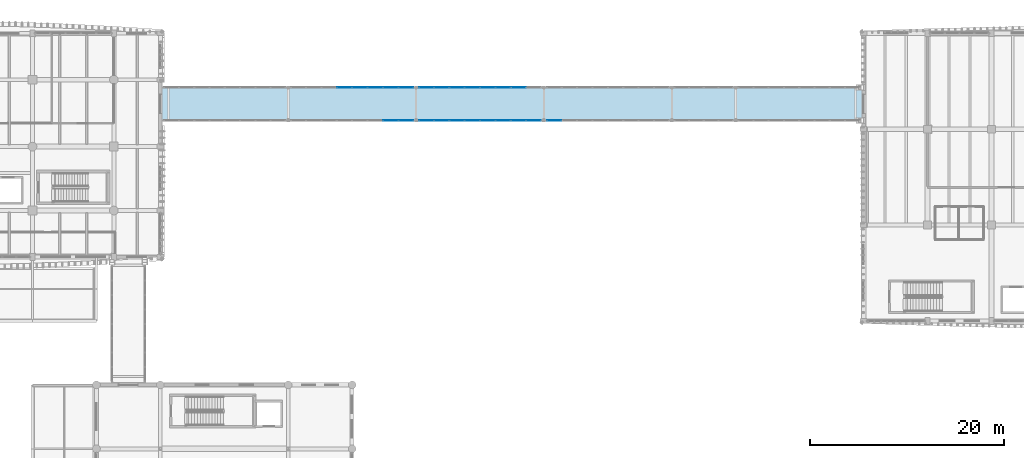
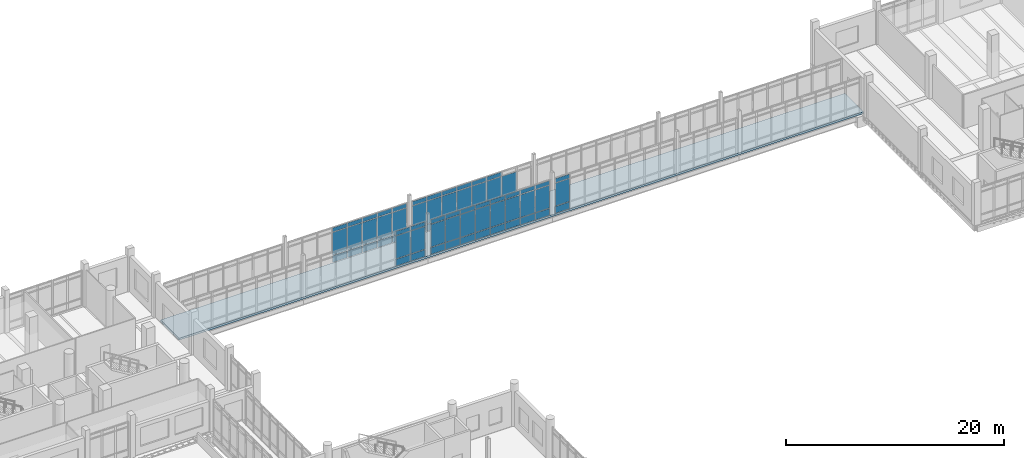
# One storey, part 70 of 125: 68 plates, 1 slab, 5 elements without a shape of their own.
"""IFC4 building model written with IfcOpenShell, lengths in metres."""

from ifc_helpers import new_model, si_unit, direction, frame, origin, origin_2d, place, context, subcontext, project, spatial, polyline, rectangle, outline, extrude, material, layer, layer_set, type_object, element, aggregate, save


model = new_model("IFC4")

# Units and contexts
model_context = context("Model", 3, precision=1e-05, world=origin(), true_north=direction((0.0, 1.0)))
body_context = subcontext(model_context, "Body", "Model", "MODEL_VIEW")
ifc_project = project(units=[si_unit("LENGTHUNIT", "METRE"), si_unit("AREAUNIT", "SQUARE_METRE"), si_unit("VOLUMEUNIT", "CUBIC_METRE"), si_unit("PLANEANGLEUNIT", "RADIAN"), si_unit("MASSUNIT", "GRAM", prefix="KILO")], contexts=[model_context])

# Site, building, storey
site_placement = place(None, origin())
site = spatial("IfcSite", under=ifc_project, at=site_placement, CompositionType="ELEMENT")
building_placement = place(site_placement, origin())
building = spatial("IfcBuilding", under=site, at=building_placement, Name="Dornvale Research Institute", CompositionType="ELEMENT")
storey_placement = place(building_placement, frame((0.0, 0.0, 5.39990234375)))
storey = spatial("IfcBuildingStorey", under=building, at=storey_placement, Name="L01", CompositionType="ELEMENT", Elevation=5.39990234375)

# Curtain wall, plates
ifc_material_1 = material(Name="Low-E Argon Double Insulating Glazing Unit", Category="glass")
curtain_wall_type = type_object("IfcCurtainWallType", Name="UnitisedCurtainWall_V2_12700x4000", PredefinedType="USERDEFINED", material=ifc_material_1)
curtain_wall_1_placement = place(storey_placement, origin())
curtain_wall_1 = element("IfcCurtainWall", 1, at=curtain_wall_1_placement, inside=storey, type_object=curtain_wall_type, Name="L01 V2 unitised curtain wall CW-42 #213", ObjectType="UNITISED CURTAIN WALL", PredefinedType="USERDEFINED")
ifc_material_2 = material(Name="Insulated Ceramic-Frit Spandrel Glass Panel", Category="glass")
ifc_layer_1 = layer(ifc_material_2, 0.0419921875)
ifc_layer_set_1 = layer_set([ifc_layer_1], Name="Insulated Ceramic-Frit Spandrel Glass Panel")
plate_type_1 = type_object("IfcPlateType", Name="CurtainPanel_Spandrel_42", PredefinedType="CURTAIN_PANEL", material=ifc_layer_set_1)
plate_1_placement = place(storey_placement, frame((65.206298828125, 116.5, 0.065185546875), z_axis=(0.0, 0.0, 1.0), x_axis=(1.0, 0.0, 0.0)))
plate_1 = element("IfcPlate", 2, at=plate_1_placement, type_object=plate_type_1, Name="CW-42 panel 4.1", PredefinedType="CURTAIN_PANEL", context=body_context, shape_type="SweptSolid", body=[
    extrude(rectangle(XDim=1.5224609375, YDim=0.0419921875, at=origin_2d()), origin(), (0.0, 0.0, 1.0), 0.75244140625),
])
plate_2_placement = place(storey_placement, frame((66.793701171875, 116.5, 0.065185546875), z_axis=(0.0, 0.0, 1.0), x_axis=(1.0, 0.0, 0.0)))
plate_2 = element("IfcPlate", 3, at=plate_2_placement, type_object=plate_type_1, Name="CW-42 panel 5.1", PredefinedType="CURTAIN_PANEL", context=body_context, shape_type="SweptSolid", body=[
    extrude(rectangle(XDim=1.5224609375, YDim=0.0419921875, at=origin_2d()), origin(), (0.0, 0.0, 1.0), 0.75244140625),
])
plate_3_placement = place(storey_placement, frame((68.38134765625, 116.5, 0.065185546875), z_axis=(0.0, 0.0, 1.0), x_axis=(1.0, 0.0, 0.0)))
plate_3 = element("IfcPlate", 4, at=plate_3_placement, type_object=plate_type_1, Name="CW-42 panel 6.1", PredefinedType="CURTAIN_PANEL", context=body_context, shape_type="SweptSolid", body=[
    extrude(rectangle(XDim=1.5224609375, YDim=0.0419921875, at=origin_2d()), origin(), (0.0, 0.0, 1.0), 0.75244140625),
])
plate_4_placement = place(storey_placement, frame((69.96875, 116.5, 0.065185546875), z_axis=(0.0, 0.0, 1.0), x_axis=(1.0, 0.0, 0.0)))
plate_4 = element("IfcPlate", 5, at=plate_4_placement, type_object=plate_type_1, Name="CW-42 panel 7.1", PredefinedType="CURTAIN_PANEL", context=body_context, shape_type="SweptSolid", body=[
    extrude(rectangle(XDim=1.5224609375, YDim=0.0419921875, at=origin_2d()), origin(), (0.0, 0.0, 1.0), 0.75244140625),
])
plate_5_placement = place(storey_placement, frame((71.5400390625, 116.5, 0.065185546875), z_axis=(0.0, 0.0, 1.0), x_axis=(1.0, 0.0, 0.0)))
plate_5 = element("IfcPlate", 6, at=plate_5_placement, type_object=plate_type_1, Name="CW-42 panel 8.1", PredefinedType="CURTAIN_PANEL", context=body_context, shape_type="SweptSolid", body=[
    extrude(rectangle(XDim=1.489990234375, YDim=0.0419921875, at=origin_2d()), origin(), (0.0, 0.0, 1.0), 0.75244140625),
])

curtain_wall_2_placement = place(storey_placement, origin())
curtain_wall_2 = element("IfcCurtainWall", 7, at=curtain_wall_2_placement, inside=storey, type_object=curtain_wall_type, Name="L01 V2 unitised curtain wall CW-42 #214", ObjectType="UNITISED CURTAIN WALL", PredefinedType="USERDEFINED")
plate_6_placement = place(storey_placement, frame((71.5400390625, 113.10009765625, 0.065185546875), z_axis=(0.0, 0.0, 1.0), x_axis=(-1.0, 0.0, 0.0)))
plate_6 = element("IfcPlate", 8, at=plate_6_placement, type_object=plate_type_1, Name="CW-42 panel 1.1", PredefinedType="CURTAIN_PANEL", context=body_context, shape_type="SweptSolid", body=[
    extrude(rectangle(XDim=1.489990234375, YDim=0.0419921875, at=origin_2d()), origin(), (0.0, 0.0, 1.0), 0.75244140625),
])
plate_7_placement = place(storey_placement, frame((69.96875, 113.10009765625, 0.065185546875), z_axis=(0.0, 0.0, 1.0), x_axis=(-1.0, 0.0, 0.0)))
plate_7 = element("IfcPlate", 9, at=plate_7_placement, type_object=plate_type_1, Name="CW-42 panel 2.1", PredefinedType="CURTAIN_PANEL", context=body_context, shape_type="SweptSolid", body=[
    extrude(rectangle(XDim=1.5224609375, YDim=0.0419921875, at=origin_2d()), origin(), (0.0, 0.0, 1.0), 0.75244140625),
])

curtain_wall_3_placement = place(storey_placement, origin())
curtain_wall_3 = element("IfcCurtainWall", 10, at=curtain_wall_3_placement, inside=storey, type_object=curtain_wall_type, Name="L01 V2 unitised curtain wall CW-42 #215", ObjectType="UNITISED CURTAIN WALL", PredefinedType="USERDEFINED")
plate_8_placement = place(storey_placement, frame((73.659912109375, 116.5, 0.065185546875), z_axis=(0.0, 0.0, 1.0), x_axis=(1.0, 0.0, 0.0)))
plate_8 = element("IfcPlate", 11, at=plate_8_placement, type_object=plate_type_1, Name="CW-42 panel 1.1", PredefinedType="CURTAIN_PANEL", context=body_context, shape_type="SweptSolid", body=[
    extrude(rectangle(XDim=1.489990234375, YDim=0.0419921875, at=origin_2d()), origin(), (0.0, 0.0, 1.0), 0.75244140625),
])
plate_9_placement = place(storey_placement, frame((75.231201171875, 116.5, 0.065185546875), z_axis=(0.0, 0.0, 1.0), x_axis=(1.0, 0.0, 0.0)))
plate_9 = element("IfcPlate", 12, at=plate_9_placement, type_object=plate_type_1, Name="CW-42 panel 2.1", PredefinedType="CURTAIN_PANEL", context=body_context, shape_type="SweptSolid", body=[
    extrude(rectangle(XDim=1.5224609375, YDim=0.0419921875, at=origin_2d()), origin(), (0.0, 0.0, 1.0), 0.75244140625),
])
plate_10_placement = place(storey_placement, frame((76.81884765625, 116.5, 0.065185546875), z_axis=(0.0, 0.0, 1.0), x_axis=(1.0, 0.0, 0.0)))
plate_10 = element("IfcPlate", 13, at=plate_10_placement, type_object=plate_type_1, Name="CW-42 panel 3.1", PredefinedType="CURTAIN_PANEL", context=body_context, shape_type="SweptSolid", body=[
    extrude(rectangle(XDim=1.5224609375, YDim=0.0419921875, at=origin_2d()), origin(), (0.0, 0.0, 1.0), 0.75244140625),
])
plate_11_placement = place(storey_placement, frame((78.40625, 116.5, 0.065185546875), z_axis=(0.0, 0.0, 1.0), x_axis=(1.0, 0.0, 0.0)))
plate_11 = element("IfcPlate", 14, at=plate_11_placement, type_object=plate_type_1, Name="CW-42 panel 4.1", PredefinedType="CURTAIN_PANEL", context=body_context, shape_type="SweptSolid", body=[
    extrude(rectangle(XDim=1.5224609375, YDim=0.0419921875, at=origin_2d()), origin(), (0.0, 0.0, 1.0), 0.75244140625),
])
plate_12_placement = place(storey_placement, frame((79.99365234375, 116.5, 0.065185546875), z_axis=(0.0, 0.0, 1.0), x_axis=(1.0, 0.0, 0.0)))
plate_12 = element("IfcPlate", 15, at=plate_12_placement, type_object=plate_type_1, Name="CW-42 panel 5.1", PredefinedType="CURTAIN_PANEL", context=body_context, shape_type="SweptSolid", body=[
    extrude(rectangle(XDim=1.5224609375, YDim=0.0419921875, at=origin_2d()), origin(), (0.0, 0.0, 1.0), 0.75244140625),
])
plate_13_placement = place(storey_placement, frame((81.581298828125, 116.5, 0.065185546875), z_axis=(0.0, 0.0, 1.0), x_axis=(1.0, 0.0, 0.0)))
plate_13 = element("IfcPlate", 16, at=plate_13_placement, type_object=plate_type_1, Name="CW-42 panel 6.1", PredefinedType="CURTAIN_PANEL", context=body_context, shape_type="SweptSolid", body=[
    extrude(rectangle(XDim=1.5224609375, YDim=0.0419921875, at=origin_2d()), origin(), (0.0, 0.0, 1.0), 0.75244140625),
])
plate_14_placement = place(storey_placement, frame((83.168701171875, 116.5, 0.065185546875), z_axis=(0.0, 0.0, 1.0), x_axis=(1.0, 0.0, 0.0)))
plate_14 = element("IfcPlate", 17, at=plate_14_placement, type_object=plate_type_1, Name="CW-42 panel 7.1", PredefinedType="CURTAIN_PANEL", context=body_context, shape_type="SweptSolid", body=[
    extrude(rectangle(XDim=1.5224609375, YDim=0.0419921875, at=origin_2d()), origin(), (0.0, 0.0, 1.0), 0.75244140625),
])

curtain_wall_4_placement = place(storey_placement, origin())
curtain_wall_4 = element("IfcCurtainWall", 18, at=curtain_wall_4_placement, inside=storey, type_object=curtain_wall_type, Name="L01 V2 unitised curtain wall CW-42 #216", ObjectType="UNITISED CURTAIN WALL", PredefinedType="USERDEFINED")
plate_15_placement = place(storey_placement, frame((84.739990234375, 113.10009765625, 0.065185546875), z_axis=(0.0, 0.0, 1.0), x_axis=(-1.0, 0.0, 0.0)))
plate_15 = element("IfcPlate", 19, at=plate_15_placement, type_object=plate_type_1, Name="CW-42 panel 1.1", PredefinedType="CURTAIN_PANEL", context=body_context, shape_type="SweptSolid", body=[
    extrude(rectangle(XDim=1.489990234375, YDim=0.0419921875, at=origin_2d()), origin(), (0.0, 0.0, 1.0), 0.75244140625),
])
plate_16_placement = place(storey_placement, frame((83.168701171875, 113.10009765625, 0.065185546875), z_axis=(0.0, 0.0, 1.0), x_axis=(-1.0, 0.0, 0.0)))
plate_16 = element("IfcPlate", 20, at=plate_16_placement, type_object=plate_type_1, Name="CW-42 panel 2.1", PredefinedType="CURTAIN_PANEL", context=body_context, shape_type="SweptSolid", body=[
    extrude(rectangle(XDim=1.5224609375, YDim=0.0419921875, at=origin_2d()), origin(), (0.0, 0.0, 1.0), 0.75244140625),
])
plate_17_placement = place(storey_placement, frame((81.581298828125, 113.10009765625, 0.065185546875), z_axis=(0.0, 0.0, 1.0), x_axis=(-1.0, 0.0, 0.0)))
plate_17 = element("IfcPlate", 21, at=plate_17_placement, type_object=plate_type_1, Name="CW-42 panel 3.1", PredefinedType="CURTAIN_PANEL", context=body_context, shape_type="SweptSolid", body=[
    extrude(rectangle(XDim=1.5224609375, YDim=0.0419921875, at=origin_2d()), origin(), (0.0, 0.0, 1.0), 0.75244140625),
])
plate_18_placement = place(storey_placement, frame((79.99365234375, 113.10009765625, 0.065185546875), z_axis=(0.0, 0.0, 1.0), x_axis=(-1.0, 0.0, 0.0)))
plate_18 = element("IfcPlate", 22, at=plate_18_placement, type_object=plate_type_1, Name="CW-42 panel 4.1", PredefinedType="CURTAIN_PANEL", context=body_context, shape_type="SweptSolid", body=[
    extrude(rectangle(XDim=1.5224609375, YDim=0.0419921875, at=origin_2d()), origin(), (0.0, 0.0, 1.0), 0.75244140625),
])
plate_19_placement = place(storey_placement, frame((78.40625, 113.10009765625, 0.065185546875), z_axis=(0.0, 0.0, 1.0), x_axis=(-1.0, 0.0, 0.0)))
plate_19 = element("IfcPlate", 23, at=plate_19_placement, type_object=plate_type_1, Name="CW-42 panel 5.1", PredefinedType="CURTAIN_PANEL", context=body_context, shape_type="SweptSolid", body=[
    extrude(rectangle(XDim=1.5224609375, YDim=0.0419921875, at=origin_2d()), origin(), (0.0, 0.0, 1.0), 0.75244140625),
])
plate_20_placement = place(storey_placement, frame((76.81884765625, 113.10009765625, 0.065185546875), z_axis=(0.0, 0.0, 1.0), x_axis=(-1.0, 0.0, 0.0)))
plate_20 = element("IfcPlate", 24, at=plate_20_placement, type_object=plate_type_1, Name="CW-42 panel 6.1", PredefinedType="CURTAIN_PANEL", context=body_context, shape_type="SweptSolid", body=[
    extrude(rectangle(XDim=1.5224609375, YDim=0.0419921875, at=origin_2d()), origin(), (0.0, 0.0, 1.0), 0.75244140625),
])
plate_21_placement = place(storey_placement, frame((75.231201171875, 113.10009765625, 0.065185546875), z_axis=(0.0, 0.0, 1.0), x_axis=(-1.0, 0.0, 0.0)))
plate_21 = element("IfcPlate", 25, at=plate_21_placement, type_object=plate_type_1, Name="CW-42 panel 7.1", PredefinedType="CURTAIN_PANEL", context=body_context, shape_type="SweptSolid", body=[
    extrude(rectangle(XDim=1.5224609375, YDim=0.0419921875, at=origin_2d()), origin(), (0.0, 0.0, 1.0), 0.75244140625),
])
plate_22_placement = place(storey_placement, frame((73.659912109375, 113.10009765625, 0.065185546875), z_axis=(0.0, 0.0, 1.0), x_axis=(-1.0, 0.0, 0.0)))
plate_22 = element("IfcPlate", 26, at=plate_22_placement, type_object=plate_type_1, Name="CW-42 panel 8.1", PredefinedType="CURTAIN_PANEL", context=body_context, shape_type="SweptSolid", body=[
    extrude(rectangle(XDim=1.489990234375, YDim=0.0419921875, at=origin_2d()), origin(), (0.0, 0.0, 1.0), 0.75244140625),
])

# Curtain wall, plate
curtain_wall_5_placement = place(storey_placement, origin())
curtain_wall_5 = element("IfcCurtainWall", 27, at=curtain_wall_5_placement, inside=storey, type_object=curtain_wall_type, Name="L01 V2 unitised curtain wall CW-42 #218", ObjectType="UNITISED CURTAIN WALL", PredefinedType="USERDEFINED")
plate_23_placement = place(storey_placement, frame((86.860107421875, 113.10009765625, 0.065185546875), z_axis=(0.0, 0.0, 1.0), x_axis=(-1.0, 0.0, 0.0)))
plate_23 = element("IfcPlate", 28, at=plate_23_placement, type_object=plate_type_1, Name="CW-42 panel 8.1", PredefinedType="CURTAIN_PANEL", context=body_context, shape_type="SweptSolid", body=[
    extrude(rectangle(XDim=1.489990234375, YDim=0.0419921875, at=origin_2d()), origin(), (0.0, 0.0, 1.0), 0.75244140625),
])

# Plate
ifc_material_3 = material(Name="Low-E Argon Double Insulating Glazing Unit", Category="glass")
ifc_layer_2 = layer(ifc_material_3, 0.028076171875)
ifc_layer_set_2 = layer_set([ifc_layer_2], Name="Low-E Argon Double Insulating Glazing Unit")
plate_type_2 = type_object("IfcPlateType", Name="CurtainPanel_Vision_28", PredefinedType="CURTAIN_PANEL", material=ifc_layer_set_2)
plate_24_placement = place(storey_placement, frame((65.206298828125, 116.5, 0.8828125), z_axis=(0.0, 0.0, 1.0), x_axis=(1.0, 0.0, 0.0)))
plate_24 = element("IfcPlate", 29, at=plate_24_placement, type_object=plate_type_2, Name="CW-42 panel 4.2", PredefinedType="CURTAIN_PANEL", context=body_context, shape_type="SweptSolid", body=[
    extrude(rectangle(XDim=1.5224609375, YDim=0.028076171875, at=origin_2d()), origin(), (0.0, 0.0, 1.0), 2.534912109375),
])

plate_25_placement = place(storey_placement, frame((65.206298828125, 116.5, 3.482421875), z_axis=(0.0, 0.0, 1.0), x_axis=(1.0, 0.0, 0.0)))
plate_25 = element("IfcPlate", 30, at=plate_25_placement, type_object=plate_type_2, Name="CW-42 panel 4.3", PredefinedType="CURTAIN_PANEL", context=body_context, shape_type="SweptSolid", body=[
    extrude(rectangle(XDim=1.5224609375, YDim=0.028076171875, at=origin_2d()), origin(), (0.0, 0.0, 1.0), 0.452392578125),
])

plate_26_placement = place(storey_placement, frame((66.793701171875, 116.5, 0.8828125), z_axis=(0.0, 0.0, 1.0), x_axis=(1.0, 0.0, 0.0)))
plate_26 = element("IfcPlate", 31, at=plate_26_placement, type_object=plate_type_2, Name="CW-42 panel 5.2", PredefinedType="CURTAIN_PANEL", context=body_context, shape_type="SweptSolid", body=[
    extrude(rectangle(XDim=1.5224609375, YDim=0.028076171875, at=origin_2d()), origin(), (0.0, 0.0, 1.0), 2.534912109375),
])

plate_27_placement = place(storey_placement, frame((66.793701171875, 116.5, 3.482421875), z_axis=(0.0, 0.0, 1.0), x_axis=(1.0, 0.0, 0.0)))
plate_27 = element("IfcPlate", 32, at=plate_27_placement, type_object=plate_type_2, Name="CW-42 panel 5.3", PredefinedType="CURTAIN_PANEL", context=body_context, shape_type="SweptSolid", body=[
    extrude(rectangle(XDim=1.5224609375, YDim=0.028076171875, at=origin_2d()), origin(), (0.0, 0.0, 1.0), 0.452392578125),
])

plate_28_placement = place(storey_placement, frame((68.38134765625, 116.5, 0.8828125), z_axis=(0.0, 0.0, 1.0), x_axis=(1.0, 0.0, 0.0)))
plate_28 = element("IfcPlate", 33, at=plate_28_placement, type_object=plate_type_2, Name="CW-42 panel 6.2", PredefinedType="CURTAIN_PANEL", context=body_context, shape_type="SweptSolid", body=[
    extrude(rectangle(XDim=1.5224609375, YDim=0.028076171875, at=origin_2d()), origin(), (0.0, 0.0, 1.0), 2.534912109375),
])

plate_29_placement = place(storey_placement, frame((68.38134765625, 116.5, 3.482421875), z_axis=(0.0, 0.0, 1.0), x_axis=(1.0, 0.0, 0.0)))
plate_29 = element("IfcPlate", 34, at=plate_29_placement, type_object=plate_type_2, Name="CW-42 panel 6.3", PredefinedType="CURTAIN_PANEL", context=body_context, shape_type="SweptSolid", body=[
    extrude(rectangle(XDim=1.5224609375, YDim=0.028076171875, at=origin_2d()), origin(), (0.0, 0.0, 1.0), 0.452392578125),
])

plate_30_placement = place(storey_placement, frame((69.96875, 116.5, 0.8828125), z_axis=(0.0, 0.0, 1.0), x_axis=(1.0, 0.0, 0.0)))
plate_30 = element("IfcPlate", 35, at=plate_30_placement, type_object=plate_type_2, Name="CW-42 panel 7.2", PredefinedType="CURTAIN_PANEL", context=body_context, shape_type="SweptSolid", body=[
    extrude(rectangle(XDim=1.5224609375, YDim=0.028076171875, at=origin_2d()), origin(), (0.0, 0.0, 1.0), 2.534912109375),
])

plate_31_placement = place(storey_placement, frame((69.96875, 116.5, 3.482421875), z_axis=(0.0, 0.0, 1.0), x_axis=(1.0, 0.0, 0.0)))
plate_31 = element("IfcPlate", 36, at=plate_31_placement, type_object=plate_type_2, Name="CW-42 panel 7.3", PredefinedType="CURTAIN_PANEL", context=body_context, shape_type="SweptSolid", body=[
    extrude(rectangle(XDim=1.5224609375, YDim=0.028076171875, at=origin_2d()), origin(), (0.0, 0.0, 1.0), 0.452392578125),
])

plate_32_placement = place(storey_placement, frame((71.5400390625, 116.5, 0.8828125), z_axis=(0.0, 0.0, 1.0), x_axis=(1.0, 0.0, 0.0)))
plate_32 = element("IfcPlate", 37, at=plate_32_placement, type_object=plate_type_2, Name="CW-42 panel 8.2", PredefinedType="CURTAIN_PANEL", context=body_context, shape_type="SweptSolid", body=[
    extrude(rectangle(XDim=1.489990234375, YDim=0.028076171875, at=origin_2d()), origin(), (0.0, 0.0, 1.0), 2.534912109375),
])

plate_33_placement = place(storey_placement, frame((71.5400390625, 116.5, 3.482421875), z_axis=(0.0, 0.0, 1.0), x_axis=(1.0, 0.0, 0.0)))
plate_33 = element("IfcPlate", 38, at=plate_33_placement, type_object=plate_type_2, Name="CW-42 panel 8.3", PredefinedType="CURTAIN_PANEL", context=body_context, shape_type="SweptSolid", body=[
    extrude(rectangle(XDim=1.489990234375, YDim=0.028076171875, at=origin_2d()), origin(), (0.0, 0.0, 1.0), 0.452392578125),
])

aggregate(curtain_wall_1, [plate_1, plate_24, plate_25, plate_2, plate_26, plate_27, plate_3, plate_28, plate_29, plate_4, plate_30, plate_31, plate_5, plate_32, plate_33])

plate_34_placement = place(storey_placement, frame((71.5400390625, 113.10009765625, 0.8828125), z_axis=(0.0, 0.0, 1.0), x_axis=(-1.0, 0.0, 0.0)))
plate_34 = element("IfcPlate", 39, at=plate_34_placement, type_object=plate_type_2, Name="CW-42 panel 1.2", PredefinedType="CURTAIN_PANEL", context=body_context, shape_type="SweptSolid", body=[
    extrude(rectangle(XDim=1.489990234375, YDim=0.028076171875, at=origin_2d()), origin(), (0.0, 0.0, 1.0), 2.534912109375),
])

plate_35_placement = place(storey_placement, frame((71.5400390625, 113.10009765625, 3.482421875), z_axis=(0.0, 0.0, 1.0), x_axis=(-1.0, 0.0, 0.0)))
plate_35 = element("IfcPlate", 40, at=plate_35_placement, type_object=plate_type_2, Name="CW-42 panel 1.3", PredefinedType="CURTAIN_PANEL", context=body_context, shape_type="SweptSolid", body=[
    extrude(rectangle(XDim=1.489990234375, YDim=0.028076171875, at=origin_2d()), origin(), (0.0, 0.0, 1.0), 0.452392578125),
])

plate_36_placement = place(storey_placement, frame((69.96875, 113.10009765625, 0.8828125), z_axis=(0.0, 0.0, 1.0), x_axis=(-1.0, 0.0, 0.0)))
plate_36 = element("IfcPlate", 41, at=plate_36_placement, type_object=plate_type_2, Name="CW-42 panel 2.2", PredefinedType="CURTAIN_PANEL", context=body_context, shape_type="SweptSolid", body=[
    extrude(rectangle(XDim=1.5224609375, YDim=0.028076171875, at=origin_2d()), origin(), (0.0, 0.0, 1.0), 2.534912109375),
])

plate_37_placement = place(storey_placement, frame((69.96875, 113.10009765625, 3.482421875), z_axis=(0.0, 0.0, 1.0), x_axis=(-1.0, 0.0, 0.0)))
plate_37 = element("IfcPlate", 42, at=plate_37_placement, type_object=plate_type_2, Name="CW-42 panel 2.3", PredefinedType="CURTAIN_PANEL", context=body_context, shape_type="SweptSolid", body=[
    extrude(rectangle(XDim=1.5224609375, YDim=0.028076171875, at=origin_2d()), origin(), (0.0, 0.0, 1.0), 0.452392578125),
])

aggregate(curtain_wall_2, [plate_6, plate_34, plate_35, plate_7, plate_36, plate_37])

plate_38_placement = place(storey_placement, frame((73.659912109375, 116.5, 0.8828125), z_axis=(0.0, 0.0, 1.0), x_axis=(1.0, 0.0, 0.0)))
plate_38 = element("IfcPlate", 43, at=plate_38_placement, type_object=plate_type_2, Name="CW-42 panel 1.2", PredefinedType="CURTAIN_PANEL", context=body_context, shape_type="SweptSolid", body=[
    extrude(rectangle(XDim=1.489990234375, YDim=0.028076171875, at=origin_2d()), origin(), (0.0, 0.0, 1.0), 2.534912109375),
])

plate_39_placement = place(storey_placement, frame((73.659912109375, 116.5, 3.482421875), z_axis=(0.0, 0.0, 1.0), x_axis=(1.0, 0.0, 0.0)))
plate_39 = element("IfcPlate", 44, at=plate_39_placement, type_object=plate_type_2, Name="CW-42 panel 1.3", PredefinedType="CURTAIN_PANEL", context=body_context, shape_type="SweptSolid", body=[
    extrude(rectangle(XDim=1.489990234375, YDim=0.028076171875, at=origin_2d()), origin(), (0.0, 0.0, 1.0), 0.452392578125),
])

plate_40_placement = place(storey_placement, frame((75.231201171875, 116.5, 0.8828125), z_axis=(0.0, 0.0, 1.0), x_axis=(1.0, 0.0, 0.0)))
plate_40 = element("IfcPlate", 45, at=plate_40_placement, type_object=plate_type_2, Name="CW-42 panel 2.2", PredefinedType="CURTAIN_PANEL", context=body_context, shape_type="SweptSolid", body=[
    extrude(rectangle(XDim=1.5224609375, YDim=0.028076171875, at=origin_2d()), origin(), (0.0, 0.0, 1.0), 2.534912109375),
])

plate_41_placement = place(storey_placement, frame((75.231201171875, 116.5, 3.482421875), z_axis=(0.0, 0.0, 1.0), x_axis=(1.0, 0.0, 0.0)))
plate_41 = element("IfcPlate", 46, at=plate_41_placement, type_object=plate_type_2, Name="CW-42 panel 2.3", PredefinedType="CURTAIN_PANEL", context=body_context, shape_type="SweptSolid", body=[
    extrude(rectangle(XDim=1.5224609375, YDim=0.028076171875, at=origin_2d()), origin(), (0.0, 0.0, 1.0), 0.452392578125),
])

plate_42_placement = place(storey_placement, frame((76.81884765625, 116.5, 0.8828125), z_axis=(0.0, 0.0, 1.0), x_axis=(1.0, 0.0, 0.0)))
plate_42 = element("IfcPlate", 47, at=plate_42_placement, type_object=plate_type_2, Name="CW-42 panel 3.2", PredefinedType="CURTAIN_PANEL", context=body_context, shape_type="SweptSolid", body=[
    extrude(rectangle(XDim=1.5224609375, YDim=0.028076171875, at=origin_2d()), origin(), (0.0, 0.0, 1.0), 2.534912109375),
])

plate_43_placement = place(storey_placement, frame((76.81884765625, 116.5, 3.482421875), z_axis=(0.0, 0.0, 1.0), x_axis=(1.0, 0.0, 0.0)))
plate_43 = element("IfcPlate", 48, at=plate_43_placement, type_object=plate_type_2, Name="CW-42 panel 3.3", PredefinedType="CURTAIN_PANEL", context=body_context, shape_type="SweptSolid", body=[
    extrude(rectangle(XDim=1.5224609375, YDim=0.028076171875, at=origin_2d()), origin(), (0.0, 0.0, 1.0), 0.452392578125),
])

plate_44_placement = place(storey_placement, frame((78.40625, 116.5, 0.8828125), z_axis=(0.0, 0.0, 1.0), x_axis=(1.0, 0.0, 0.0)))
plate_44 = element("IfcPlate", 49, at=plate_44_placement, type_object=plate_type_2, Name="CW-42 panel 4.2", PredefinedType="CURTAIN_PANEL", context=body_context, shape_type="SweptSolid", body=[
    extrude(rectangle(XDim=1.5224609375, YDim=0.028076171875, at=origin_2d()), origin(), (0.0, 0.0, 1.0), 2.534912109375),
])

plate_45_placement = place(storey_placement, frame((78.40625, 116.5, 3.482421875), z_axis=(0.0, 0.0, 1.0), x_axis=(1.0, 0.0, 0.0)))
plate_45 = element("IfcPlate", 50, at=plate_45_placement, type_object=plate_type_2, Name="CW-42 panel 4.3", PredefinedType="CURTAIN_PANEL", context=body_context, shape_type="SweptSolid", body=[
    extrude(rectangle(XDim=1.5224609375, YDim=0.028076171875, at=origin_2d()), origin(), (0.0, 0.0, 1.0), 0.452392578125),
])

plate_46_placement = place(storey_placement, frame((79.99365234375, 116.5, 0.8828125), z_axis=(0.0, 0.0, 1.0), x_axis=(1.0, 0.0, 0.0)))
plate_46 = element("IfcPlate", 51, at=plate_46_placement, type_object=plate_type_2, Name="CW-42 panel 5.2", PredefinedType="CURTAIN_PANEL", context=body_context, shape_type="SweptSolid", body=[
    extrude(rectangle(XDim=1.5224609375, YDim=0.028076171875, at=origin_2d()), origin(), (0.0, 0.0, 1.0), 2.534912109375),
])

plate_47_placement = place(storey_placement, frame((79.99365234375, 116.5, 3.482421875), z_axis=(0.0, 0.0, 1.0), x_axis=(1.0, 0.0, 0.0)))
plate_47 = element("IfcPlate", 52, at=plate_47_placement, type_object=plate_type_2, Name="CW-42 panel 5.3", PredefinedType="CURTAIN_PANEL", context=body_context, shape_type="SweptSolid", body=[
    extrude(rectangle(XDim=1.5224609375, YDim=0.028076171875, at=origin_2d()), origin(), (0.0, 0.0, 1.0), 0.452392578125),
])

plate_48_placement = place(storey_placement, frame((81.581298828125, 116.5, 0.8828125), z_axis=(0.0, 0.0, 1.0), x_axis=(1.0, 0.0, 0.0)))
plate_48 = element("IfcPlate", 53, at=plate_48_placement, type_object=plate_type_2, Name="CW-42 panel 6.2", PredefinedType="CURTAIN_PANEL", context=body_context, shape_type="SweptSolid", body=[
    extrude(rectangle(XDim=1.5224609375, YDim=0.028076171875, at=origin_2d()), origin(), (0.0, 0.0, 1.0), 2.534912109375),
])

plate_49_placement = place(storey_placement, frame((81.581298828125, 116.5, 3.482421875), z_axis=(0.0, 0.0, 1.0), x_axis=(1.0, 0.0, 0.0)))
plate_49 = element("IfcPlate", 54, at=plate_49_placement, type_object=plate_type_2, Name="CW-42 panel 6.3", PredefinedType="CURTAIN_PANEL", context=body_context, shape_type="SweptSolid", body=[
    extrude(rectangle(XDim=1.5224609375, YDim=0.028076171875, at=origin_2d()), origin(), (0.0, 0.0, 1.0), 0.452392578125),
])

plate_50_placement = place(storey_placement, frame((83.168701171875, 116.5, 0.8828125), z_axis=(0.0, 0.0, 1.0), x_axis=(1.0, 0.0, 0.0)))
plate_50 = element("IfcPlate", 55, at=plate_50_placement, type_object=plate_type_2, Name="CW-42 panel 7.2", PredefinedType="CURTAIN_PANEL", context=body_context, shape_type="SweptSolid", body=[
    extrude(rectangle(XDim=1.5224609375, YDim=0.028076171875, at=origin_2d()), origin(), (0.0, 0.0, 1.0), 2.534912109375),
])

aggregate(curtain_wall_3, [plate_8, plate_38, plate_39, plate_9, plate_40, plate_41, plate_10, plate_42, plate_43, plate_11, plate_44, plate_45, plate_12, plate_46, plate_47, plate_13, plate_48, plate_49, plate_14, plate_50])

plate_51_placement = place(storey_placement, frame((84.739990234375, 113.10009765625, 0.8828125), z_axis=(0.0, 0.0, 1.0), x_axis=(-1.0, 0.0, 0.0)))
plate_51 = element("IfcPlate", 56, at=plate_51_placement, type_object=plate_type_2, Name="CW-42 panel 1.2", PredefinedType="CURTAIN_PANEL", context=body_context, shape_type="SweptSolid", body=[
    extrude(rectangle(XDim=1.489990234375, YDim=0.028076171875, at=origin_2d()), origin(), (0.0, 0.0, 1.0), 2.534912109375),
])

plate_52_placement = place(storey_placement, frame((84.739990234375, 113.10009765625, 3.482421875), z_axis=(0.0, 0.0, 1.0), x_axis=(-1.0, 0.0, 0.0)))
plate_52 = element("IfcPlate", 57, at=plate_52_placement, type_object=plate_type_2, Name="CW-42 panel 1.3", PredefinedType="CURTAIN_PANEL", context=body_context, shape_type="SweptSolid", body=[
    extrude(rectangle(XDim=1.489990234375, YDim=0.028076171875, at=origin_2d()), origin(), (0.0, 0.0, 1.0), 0.452392578125),
])

plate_53_placement = place(storey_placement, frame((83.168701171875, 113.10009765625, 0.8828125), z_axis=(0.0, 0.0, 1.0), x_axis=(-1.0, 0.0, 0.0)))
plate_53 = element("IfcPlate", 58, at=plate_53_placement, type_object=plate_type_2, Name="CW-42 panel 2.2", PredefinedType="CURTAIN_PANEL", context=body_context, shape_type="SweptSolid", body=[
    extrude(rectangle(XDim=1.5224609375, YDim=0.028076171875, at=origin_2d()), origin(), (0.0, 0.0, 1.0), 2.534912109375),
])

plate_54_placement = place(storey_placement, frame((83.168701171875, 113.10009765625, 3.482421875), z_axis=(0.0, 0.0, 1.0), x_axis=(-1.0, 0.0, 0.0)))
plate_54 = element("IfcPlate", 59, at=plate_54_placement, type_object=plate_type_2, Name="CW-42 panel 2.3", PredefinedType="CURTAIN_PANEL", context=body_context, shape_type="SweptSolid", body=[
    extrude(rectangle(XDim=1.5224609375, YDim=0.028076171875, at=origin_2d()), origin(), (0.0, 0.0, 1.0), 0.452392578125),
])

plate_55_placement = place(storey_placement, frame((81.581298828125, 113.10009765625, 0.8828125), z_axis=(0.0, 0.0, 1.0), x_axis=(-1.0, 0.0, 0.0)))
plate_55 = element("IfcPlate", 60, at=plate_55_placement, type_object=plate_type_2, Name="CW-42 panel 3.2", PredefinedType="CURTAIN_PANEL", context=body_context, shape_type="SweptSolid", body=[
    extrude(rectangle(XDim=1.5224609375, YDim=0.028076171875, at=origin_2d()), origin(), (0.0, 0.0, 1.0), 2.534912109375),
])

plate_56_placement = place(storey_placement, frame((81.581298828125, 113.10009765625, 3.482421875), z_axis=(0.0, 0.0, 1.0), x_axis=(-1.0, 0.0, 0.0)))
plate_56 = element("IfcPlate", 61, at=plate_56_placement, type_object=plate_type_2, Name="CW-42 panel 3.3", PredefinedType="CURTAIN_PANEL", context=body_context, shape_type="SweptSolid", body=[
    extrude(rectangle(XDim=1.5224609375, YDim=0.028076171875, at=origin_2d()), origin(), (0.0, 0.0, 1.0), 0.452392578125),
])

plate_57_placement = place(storey_placement, frame((79.99365234375, 113.10009765625, 0.8828125), z_axis=(0.0, 0.0, 1.0), x_axis=(-1.0, 0.0, 0.0)))
plate_57 = element("IfcPlate", 62, at=plate_57_placement, type_object=plate_type_2, Name="CW-42 panel 4.2", PredefinedType="CURTAIN_PANEL", context=body_context, shape_type="SweptSolid", body=[
    extrude(rectangle(XDim=1.5224609375, YDim=0.028076171875, at=origin_2d()), origin(), (0.0, 0.0, 1.0), 2.534912109375),
])

plate_58_placement = place(storey_placement, frame((79.99365234375, 113.10009765625, 3.482421875), z_axis=(0.0, 0.0, 1.0), x_axis=(-1.0, 0.0, 0.0)))
plate_58 = element("IfcPlate", 63, at=plate_58_placement, type_object=plate_type_2, Name="CW-42 panel 4.3", PredefinedType="CURTAIN_PANEL", context=body_context, shape_type="SweptSolid", body=[
    extrude(rectangle(XDim=1.5224609375, YDim=0.028076171875, at=origin_2d()), origin(), (0.0, 0.0, 1.0), 0.452392578125),
])

plate_59_placement = place(storey_placement, frame((78.40625, 113.10009765625, 0.8828125), z_axis=(0.0, 0.0, 1.0), x_axis=(-1.0, 0.0, 0.0)))
plate_59 = element("IfcPlate", 64, at=plate_59_placement, type_object=plate_type_2, Name="CW-42 panel 5.2", PredefinedType="CURTAIN_PANEL", context=body_context, shape_type="SweptSolid", body=[
    extrude(rectangle(XDim=1.5224609375, YDim=0.028076171875, at=origin_2d()), origin(), (0.0, 0.0, 1.0), 2.534912109375),
])

plate_60_placement = place(storey_placement, frame((78.40625, 113.10009765625, 3.482421875), z_axis=(0.0, 0.0, 1.0), x_axis=(-1.0, 0.0, 0.0)))
plate_60 = element("IfcPlate", 65, at=plate_60_placement, type_object=plate_type_2, Name="CW-42 panel 5.3", PredefinedType="CURTAIN_PANEL", context=body_context, shape_type="SweptSolid", body=[
    extrude(rectangle(XDim=1.5224609375, YDim=0.028076171875, at=origin_2d()), origin(), (0.0, 0.0, 1.0), 0.452392578125),
])

plate_61_placement = place(storey_placement, frame((76.81884765625, 113.10009765625, 0.8828125), z_axis=(0.0, 0.0, 1.0), x_axis=(-1.0, 0.0, 0.0)))
plate_61 = element("IfcPlate", 66, at=plate_61_placement, type_object=plate_type_2, Name="CW-42 panel 6.2", PredefinedType="CURTAIN_PANEL", context=body_context, shape_type="SweptSolid", body=[
    extrude(rectangle(XDim=1.5224609375, YDim=0.028076171875, at=origin_2d()), origin(), (0.0, 0.0, 1.0), 2.534912109375),
])

plate_62_placement = place(storey_placement, frame((76.81884765625, 113.10009765625, 3.482421875), z_axis=(0.0, 0.0, 1.0), x_axis=(-1.0, 0.0, 0.0)))
plate_62 = element("IfcPlate", 67, at=plate_62_placement, type_object=plate_type_2, Name="CW-42 panel 6.3", PredefinedType="CURTAIN_PANEL", context=body_context, shape_type="SweptSolid", body=[
    extrude(rectangle(XDim=1.5224609375, YDim=0.028076171875, at=origin_2d()), origin(), (0.0, 0.0, 1.0), 0.452392578125),
])

plate_63_placement = place(storey_placement, frame((75.231201171875, 113.10009765625, 0.8828125), z_axis=(0.0, 0.0, 1.0), x_axis=(-1.0, 0.0, 0.0)))
plate_63 = element("IfcPlate", 68, at=plate_63_placement, type_object=plate_type_2, Name="CW-42 panel 7.2", PredefinedType="CURTAIN_PANEL", context=body_context, shape_type="SweptSolid", body=[
    extrude(rectangle(XDim=1.5224609375, YDim=0.028076171875, at=origin_2d()), origin(), (0.0, 0.0, 1.0), 2.534912109375),
])

plate_64_placement = place(storey_placement, frame((75.231201171875, 113.10009765625, 3.482421875), z_axis=(0.0, 0.0, 1.0), x_axis=(-1.0, 0.0, 0.0)))
plate_64 = element("IfcPlate", 69, at=plate_64_placement, type_object=plate_type_2, Name="CW-42 panel 7.3", PredefinedType="CURTAIN_PANEL", context=body_context, shape_type="SweptSolid", body=[
    extrude(rectangle(XDim=1.5224609375, YDim=0.028076171875, at=origin_2d()), origin(), (0.0, 0.0, 1.0), 0.452392578125),
])

plate_65_placement = place(storey_placement, frame((73.659912109375, 113.10009765625, 0.8828125), z_axis=(0.0, 0.0, 1.0), x_axis=(-1.0, 0.0, 0.0)))
plate_65 = element("IfcPlate", 70, at=plate_65_placement, type_object=plate_type_2, Name="CW-42 panel 8.2", PredefinedType="CURTAIN_PANEL", context=body_context, shape_type="SweptSolid", body=[
    extrude(rectangle(XDim=1.489990234375, YDim=0.028076171875, at=origin_2d()), origin(), (0.0, 0.0, 1.0), 2.534912109375),
])

plate_66_placement = place(storey_placement, frame((73.659912109375, 113.10009765625, 3.482421875), z_axis=(0.0, 0.0, 1.0), x_axis=(-1.0, 0.0, 0.0)))
plate_66 = element("IfcPlate", 71, at=plate_66_placement, type_object=plate_type_2, Name="CW-42 panel 8.3", PredefinedType="CURTAIN_PANEL", context=body_context, shape_type="SweptSolid", body=[
    extrude(rectangle(XDim=1.489990234375, YDim=0.028076171875, at=origin_2d()), origin(), (0.0, 0.0, 1.0), 0.452392578125),
])

aggregate(curtain_wall_4, [plate_15, plate_51, plate_52, plate_16, plate_53, plate_54, plate_17, plate_55, plate_56, plate_18, plate_57, plate_58, plate_19, plate_59, plate_60, plate_20, plate_61, plate_62, plate_21, plate_63, plate_64, plate_22, plate_65, plate_66])

plate_67_placement = place(storey_placement, frame((86.860107421875, 113.10009765625, 0.8828125), z_axis=(0.0, 0.0, 1.0), x_axis=(-1.0, 0.0, 0.0)))
plate_67 = element("IfcPlate", 72, at=plate_67_placement, type_object=plate_type_2, Name="CW-42 panel 8.2", PredefinedType="CURTAIN_PANEL", context=body_context, shape_type="SweptSolid", body=[
    extrude(rectangle(XDim=1.489990234375, YDim=0.028076171875, at=origin_2d()), origin(), (0.0, 0.0, 1.0), 2.534912109375),
])

plate_68_placement = place(storey_placement, frame((86.860107421875, 113.10009765625, 3.482421875), z_axis=(0.0, 0.0, 1.0), x_axis=(-1.0, 0.0, 0.0)))
plate_68 = element("IfcPlate", 73, at=plate_68_placement, type_object=plate_type_2, Name="CW-42 panel 8.3", PredefinedType="CURTAIN_PANEL", context=body_context, shape_type="SweptSolid", body=[
    extrude(rectangle(XDim=1.489990234375, YDim=0.028076171875, at=origin_2d()), origin(), (0.0, 0.0, 1.0), 0.452392578125),
])

aggregate(curtain_wall_5, [plate_23, plate_67, plate_68])

# Slab
ifc_material_4 = material(Name="Concrete f'c 45 MPa (C35/45)", Category="concrete")
ifc_layer_3 = layer(ifc_material_4, 0.219970703125)
ifc_layer_set_3 = layer_set([ifc_layer_3], Name="Concrete f'c 45 MPa (C35/45)")
slab_type = type_object("IfcSlabType", Name="FloorSlab_Bridge_220", PredefinedType="FLOOR", material=ifc_layer_set_3)
slab_placement = place(storey_placement, frame((0.0, 0.0, -0.219970703125)))
element("IfcSlab", 74, at=slab_placement, inside=storey, type_object=slab_type, Name="L01 link bridge deck BR-5", PredefinedType="FLOOR", context=body_context, shape_type="SweptSolid", body=[
    extrude(outline(polyline([(118.780029296875, 113.10009765625), (46.219970703125, 113.10009765625), (46.219970703125, 116.5), (118.780029296875, 116.5), (118.780029296875, 113.10009765625)])), origin(), (0.0, 0.0, 1.0), 0.219970703125),
])

save(model, "model.ifc")
